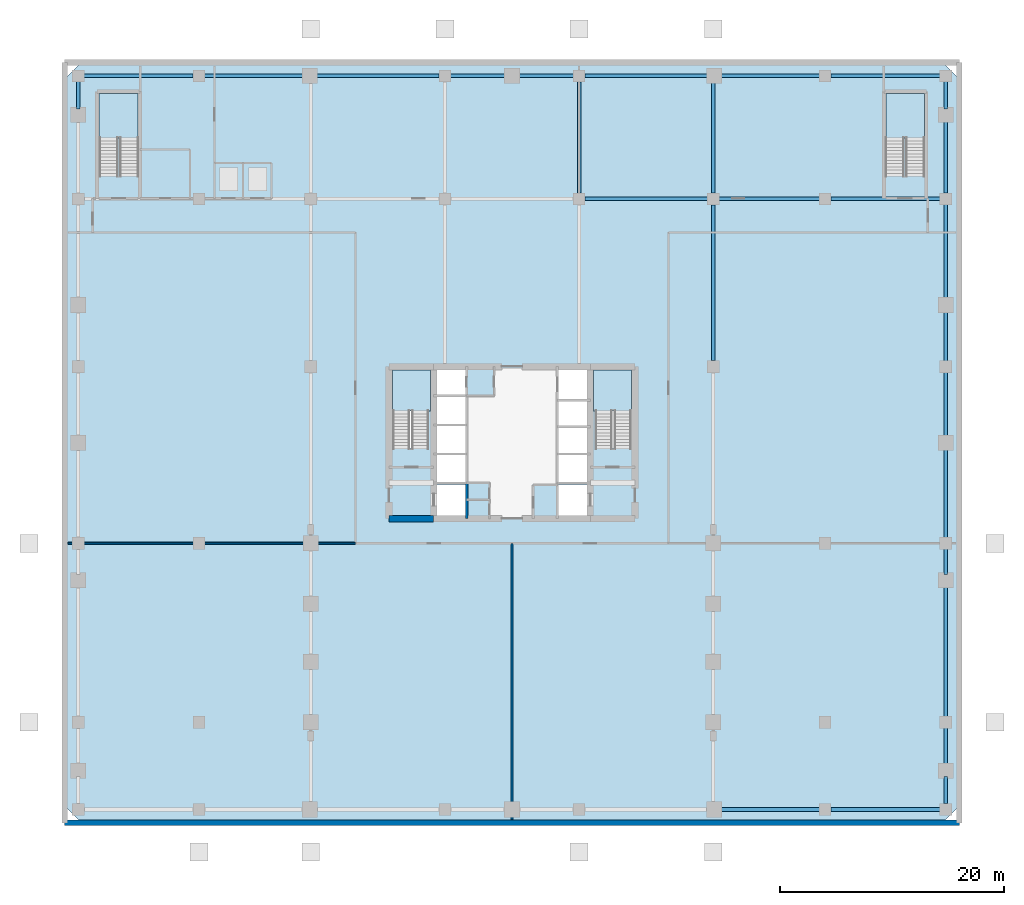
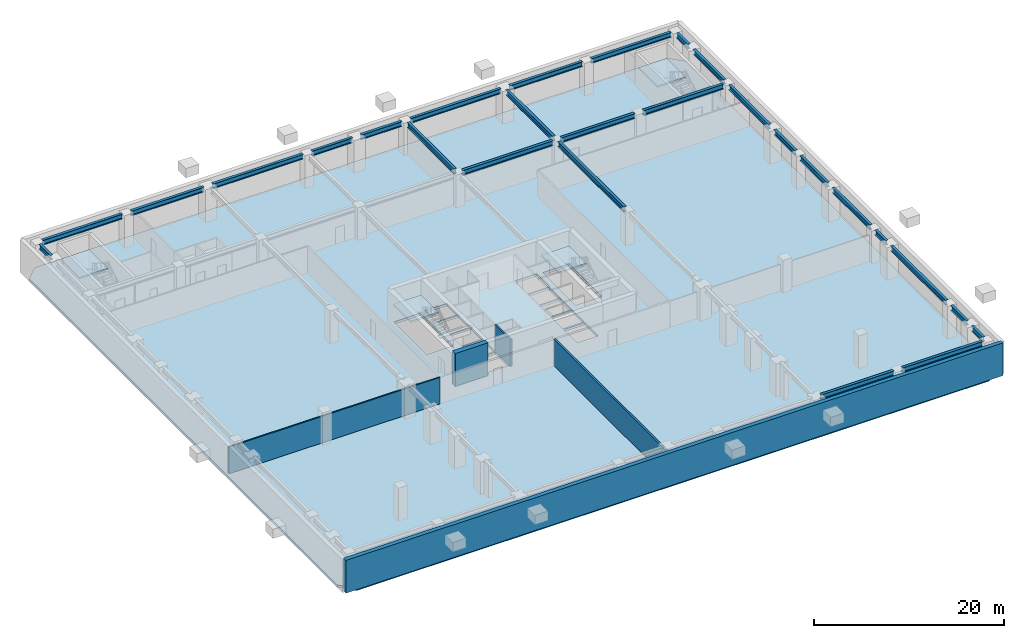
# One storey, part 2 of 11: 27 beams, 5 slabs, 5 walls, 4 elements without a shape of their own.
"""IFC4 building model written with IfcOpenShell, lengths in metres."""

from ifc_helpers import new_model, si_unit, direction, frame, frame_2d, origin, origin_2d, place, context, subcontext, project, spatial, polyline, rectangle, i_section, outline, extrude, material, layer, layer_set, material_profile, profile_set, type_object, element, aggregate, save


model = new_model("IFC4")

# Units and contexts
model_context = context("Model", 3, precision=1e-05, world=origin(), true_north=direction((0.0, 1.0)))
body_context = subcontext(model_context, "Body", "Model", "MODEL_VIEW")
ifc_project = project(units=[si_unit("LENGTHUNIT", "METRE"), si_unit("AREAUNIT", "SQUARE_METRE"), si_unit("VOLUMEUNIT", "CUBIC_METRE"), si_unit("PLANEANGLEUNIT", "RADIAN"), si_unit("MASSUNIT", "GRAM", prefix="KILO")], contexts=[model_context])

# Site, building, storey
site_placement = place(None, origin())
site = spatial("IfcSite", under=ifc_project, at=site_placement, CompositionType="ELEMENT")
building_placement = place(site_placement, origin())
building = spatial("IfcBuilding", under=site, at=building_placement, Name="Sarneth Arch Tower", CompositionType="ELEMENT")
storey_placement = place(building_placement, frame((0.0, 0.0, -4.5)))
storey = spatial("IfcBuildingStorey", under=building, at=storey_placement, Name="B01", CompositionType="ELEMENT", Elevation=-4.5)

# Beams
ifc_material_1 = material(Name="Steel S355", Category="steel")
ifc_material_profile = material_profile(ifc_material_1, i_section(OverallWidth=0.3291015625, OverallDepth=0.635009765625, WebThickness=0.017822265625, FlangeThickness=0.031005859375, FilletRadius=0.01904296875, at=origin_2d()), Name="W610x241")
ifc_profile_set = profile_set([ifc_material_profile], Name="Steel S355")
beam_type = type_object("IfcBeamType", Name="BM-POD-610", PredefinedType="BEAM", material=ifc_profile_set)
beam_1_placement = place(storey_placement, frame((9.719970703125, 74.800048828125, 3.902587890625), z_axis=(1.0, 0.0, 0.0), x_axis=(0.0, 1.0, 0.0)))
element("IfcBeam", 1, at=beam_1_placement, inside=storey, type_object=beam_type, Name="B01 Podium PN girder 1", PredefinedType="BEAM", context=body_context, shape_type="SweptSolid", body=[
    extrude(i_section(OverallWidth=0.3291015625, OverallDepth=0.635009765625, WebThickness=0.017822265625, FlangeThickness=0.031005859375, FilletRadius=0.01904296875, at=origin_2d()), origin(), (0.0, 0.0, 1.0), 9.760009765625),
])
beam_2_placement = place(storey_placement, frame((20.52001953125, 74.800048828125, 3.902587890625), z_axis=(1.0, 0.0, 0.0), x_axis=(0.0, 1.0, 0.0)))
element("IfcBeam", 2, at=beam_2_placement, inside=storey, type_object=beam_type, Name="B01 Podium PN girder 2", PredefinedType="BEAM", context=body_context, shape_type="SweptSolid", body=[
    extrude(i_section(OverallWidth=0.3291015625, OverallDepth=0.635009765625, WebThickness=0.017822265625, FlangeThickness=0.031005859375, FilletRadius=0.01904296875, at=origin_2d()), origin(), (0.0, 0.0, 1.0), 8.87548828125),
])
beam_3_placement = place(storey_placement, frame((30.435546875, 74.800048828125, 3.902587890625), z_axis=(1.0, 0.0, 0.0), x_axis=(0.0, 1.0, 0.0)))
element("IfcBeam", 3, at=beam_3_placement, inside=storey, type_object=beam_type, Name="B01 Podium PN girder 3", PredefinedType="BEAM", context=body_context, shape_type="SweptSolid", body=[
    extrude(i_section(OverallWidth=0.3291015625, OverallDepth=0.635009765625, WebThickness=0.017822265625, FlangeThickness=0.031005859375, FilletRadius=0.01904296875, at=origin_2d()), origin(), (0.0, 0.0, 1.0), 11.04443359375),
])
for number, where, z_axis, x_axis, name in (
    (4, (42.52001953125, 74.800048828125, 3.902587890625), (1.0, 0.0, 0.0), (0.0, 1.0, 0.0), "B01 Podium PN girder 4"),
    (5, (48.52001953125, 74.800048828125, 3.902587890625), (1.0, 0.0, 0.0), (0.0, 1.0, 0.0), "B01 Podium PN girder 5"),
):
    element("IfcBeam", number, at=place(storey_placement, frame(where, z_axis=z_axis, x_axis=x_axis)), inside=storey, type_object=beam_type, Name=name, PredefinedType="BEAM", context=body_context, shape_type="SweptSolid", body=[
        extrude(i_section(OverallWidth=0.3291015625, OverallDepth=0.635009765625, WebThickness=0.017822265625, FlangeThickness=0.031005859375, FilletRadius=0.01904296875, at=origin_2d()), origin(), (0.0, 0.0, 1.0), 4.9599609375),
    ])
beam_4_placement = place(storey_placement, frame((54.52001953125, 74.800048828125, 3.902587890625), z_axis=(1.0, 0.0, 0.0), x_axis=(0.0, 1.0, 0.0)))
element("IfcBeam", 6, at=beam_4_placement, inside=storey, type_object=beam_type, Name="B01 Podium PN girder 6", PredefinedType="BEAM", context=body_context, shape_type="SweptSolid", body=[
    extrude(i_section(OverallWidth=0.3291015625, OverallDepth=0.635009765625, WebThickness=0.017822265625, FlangeThickness=0.031005859375, FilletRadius=0.01904296875, at=origin_2d()), origin(), (0.0, 0.0, 1.0), 11.04443359375),
])
beam_5_placement = place(storey_placement, frame((66.6044921875, 74.800048828125, 3.902587890625), z_axis=(1.0, 0.0, 0.0), x_axis=(0.0, 1.0, 0.0)))
element("IfcBeam", 7, at=beam_5_placement, inside=storey, type_object=beam_type, Name="B01 Podium PN girder 7", PredefinedType="BEAM", context=body_context, shape_type="SweptSolid", body=[
    extrude(i_section(OverallWidth=0.3291015625, OverallDepth=0.635009765625, WebThickness=0.017822265625, FlangeThickness=0.031005859375, FilletRadius=0.01904296875, at=origin_2d()), origin(), (0.0, 0.0, 1.0), 8.87548828125),
])
beam_6_placement = place(storey_placement, frame((76.52001953125, 74.800048828125, 3.902587890625), z_axis=(1.0, 0.0, 0.0), x_axis=(0.0, 1.0, 0.0)))
element("IfcBeam", 8, at=beam_6_placement, inside=storey, type_object=beam_type, Name="B01 Podium PN girder 8", PredefinedType="BEAM", context=body_context, shape_type="SweptSolid", body=[
    extrude(i_section(OverallWidth=0.3291015625, OverallDepth=0.635009765625, WebThickness=0.017822265625, FlangeThickness=0.031005859375, FilletRadius=0.01904296875, at=origin_2d()), origin(), (0.0, 0.0, 1.0), 9.760009765625),
])
beam_7_placement = place(storey_placement, frame((66.6044921875, 9.199951171875, 3.902587890625), z_axis=(1.0, 0.0, 0.0), x_axis=(0.0, 1.0, 0.0)))
element("IfcBeam", 9, at=beam_7_placement, inside=storey, type_object=beam_type, Name="B01 Podium PS girder 7", PredefinedType="BEAM", context=body_context, shape_type="SweptSolid", body=[
    extrude(i_section(OverallWidth=0.3291015625, OverallDepth=0.635009765625, WebThickness=0.017822265625, FlangeThickness=0.031005859375, FilletRadius=0.01904296875, at=origin_2d()), origin(), (0.0, 0.0, 1.0), 8.87548828125),
])
beam_8_placement = place(storey_placement, frame((76.52001953125, 9.199951171875, 3.902587890625), z_axis=(1.0, 0.0, 0.0), x_axis=(0.0, 1.0, 0.0)))
element("IfcBeam", 10, at=beam_8_placement, inside=storey, type_object=beam_type, Name="B01 Podium PS girder 8", PredefinedType="BEAM", context=body_context, shape_type="SweptSolid", body=[
    extrude(i_section(OverallWidth=0.3291015625, OverallDepth=0.635009765625, WebThickness=0.017822265625, FlangeThickness=0.031005859375, FilletRadius=0.01904296875, at=origin_2d()), origin(), (0.0, 0.0, 1.0), 9.760009765625),
])
beam_9_placement = place(storey_placement, frame((54.52001953125, 63.800048828125, 3.902587890625), z_axis=(1.0, 0.0, 0.0), x_axis=(0.0, 1.0, 0.0)))
element("IfcBeam", 11, at=beam_9_placement, inside=storey, type_object=beam_type, Name="B01 Podium PC girder 5", PredefinedType="BEAM", context=body_context, shape_type="SweptSolid", body=[
    extrude(i_section(OverallWidth=0.3291015625, OverallDepth=0.635009765625, WebThickness=0.017822265625, FlangeThickness=0.031005859375, FilletRadius=0.01904296875, at=origin_2d()), origin(), (0.0, 0.0, 1.0), 10.9599609375),
])
beam_10_placement = place(storey_placement, frame((66.52001953125, 63.800048828125, 3.902587890625), z_axis=(1.0, 0.0, 0.0), x_axis=(0.0, 1.0, 0.0)))
element("IfcBeam", 12, at=beam_10_placement, inside=storey, type_object=beam_type, Name="B01 Podium PC girder 6", PredefinedType="BEAM", context=body_context, shape_type="SweptSolid", body=[
    extrude(i_section(OverallWidth=0.3291015625, OverallDepth=0.635009765625, WebThickness=0.017822265625, FlangeThickness=0.031005859375, FilletRadius=0.01904296875, at=origin_2d()), origin(), (0.0, 0.0, 1.0), 8.9599609375),
])
beam_11_placement = place(storey_placement, frame((76.52001953125, 63.800048828125, 3.902587890625), z_axis=(1.0, 0.0, 0.0), x_axis=(0.0, 1.0, 0.0)))
element("IfcBeam", 13, at=beam_11_placement, inside=storey, type_object=beam_type, Name="B01 Podium PC girder 7", PredefinedType="BEAM", context=body_context, shape_type="SweptSolid", body=[
    extrude(i_section(OverallWidth=0.3291015625, OverallDepth=0.635009765625, WebThickness=0.017822265625, FlangeThickness=0.031005859375, FilletRadius=0.01904296875, at=origin_2d()), origin(), (0.0, 0.0, 1.0), 9.760009765625),
])
for number, where, z_axis, x_axis, name in (
    (14, (9.199951171875, 71.856689453125, 3.902587890625), (0.0, 1.0, 0.0), (-1.0, 0.0, 0.0), "B01 Podium PW girder 10"),
    (15, (86.800048828125, 9.719970703125, 3.902587890625), (0.0, 1.0, 0.0), (-1.0, 0.0, 0.0), "B01 Podium PE girder 1"),
):
    element("IfcBeam", number, at=place(storey_placement, frame(where, z_axis=z_axis, x_axis=x_axis)), inside=storey, type_object=beam_type, Name=name, PredefinedType="BEAM", context=body_context, shape_type="SweptSolid", body=[
        extrude(i_section(OverallWidth=0.3291015625, OverallDepth=0.635009765625, WebThickness=0.017822265625, FlangeThickness=0.031005859375, FilletRadius=0.01904296875, at=origin_2d()), origin(), (0.0, 0.0, 1.0), 2.42333984375),
    ])
beam_12_placement = place(storey_placement, frame((86.800048828125, 13.183349609375, 3.902587890625), z_axis=(0.0, 1.0, 0.0), x_axis=(-1.0, 0.0, 0.0)))
element("IfcBeam", 16, at=beam_12_placement, inside=storey, type_object=beam_type, Name="B01 Podium PE girder 2", PredefinedType="BEAM", context=body_context, shape_type="SweptSolid", body=[
    extrude(i_section(OverallWidth=0.3291015625, OverallDepth=0.635009765625, WebThickness=0.017822265625, FlangeThickness=0.031005859375, FilletRadius=0.01904296875, at=origin_2d()), origin(), (0.0, 0.0, 1.0), 3.296630859375),
])
beam_13_placement = place(storey_placement, frame((86.800048828125, 17.52001953125, 3.902587890625), z_axis=(0.0, 1.0, 0.0), x_axis=(-1.0, 0.0, 0.0)))
element("IfcBeam", 17, at=beam_13_placement, inside=storey, type_object=beam_type, Name="B01 Podium PE girder 3", PredefinedType="BEAM", context=body_context, shape_type="SweptSolid", body=[
    extrude(i_section(OverallWidth=0.3291015625, OverallDepth=0.635009765625, WebThickness=0.017822265625, FlangeThickness=0.031005859375, FilletRadius=0.01904296875, at=origin_2d()), origin(), (0.0, 0.0, 1.0), 11.64208984375),
])
beam_14_placement = place(storey_placement, frame((86.800048828125, 30.2021484375, 3.902587890625), z_axis=(0.0, 1.0, 0.0), x_axis=(-1.0, 0.0, 0.0)))
element("IfcBeam", 18, at=beam_14_placement, inside=storey, type_object=beam_type, Name="B01 Podium PE girder 4", PredefinedType="BEAM", context=body_context, shape_type="SweptSolid", body=[
    extrude(i_section(OverallWidth=0.3291015625, OverallDepth=0.635009765625, WebThickness=0.017822265625, FlangeThickness=0.031005859375, FilletRadius=0.01904296875, at=origin_2d()), origin(), (0.0, 0.0, 1.0), 2.27783203125),
])
beam_15_placement = place(storey_placement, frame((86.800048828125, 33.52001953125, 3.902587890625), z_axis=(0.0, 1.0, 0.0), x_axis=(-1.0, 0.0, 0.0)))
element("IfcBeam", 19, at=beam_15_placement, inside=storey, type_object=beam_type, Name="B01 Podium PE girder 5", PredefinedType="BEAM", context=body_context, shape_type="SweptSolid", body=[
    extrude(i_section(OverallWidth=0.3291015625, OverallDepth=0.635009765625, WebThickness=0.017822265625, FlangeThickness=0.031005859375, FilletRadius=0.01904296875, at=origin_2d()), origin(), (0.0, 0.0, 1.0), 7.9599609375),
])
beam_16_placement = place(storey_placement, frame((86.800048828125, 42.52001953125, 3.902587890625), z_axis=(0.0, 1.0, 0.0), x_axis=(-1.0, 0.0, 0.0)))
element("IfcBeam", 20, at=beam_16_placement, inside=storey, type_object=beam_type, Name="B01 Podium PE girder 6", PredefinedType="BEAM", context=body_context, shape_type="SweptSolid", body=[
    extrude(i_section(OverallWidth=0.3291015625, OverallDepth=0.635009765625, WebThickness=0.017822265625, FlangeThickness=0.031005859375, FilletRadius=0.01904296875, at=origin_2d()), origin(), (0.0, 0.0, 1.0), 5.760009765625),
])
beam_17_placement = place(storey_placement, frame((86.800048828125, 49.320068359375, 3.902587890625), z_axis=(0.0, 1.0, 0.0), x_axis=(-1.0, 0.0, 0.0)))
element("IfcBeam", 21, at=beam_17_placement, inside=storey, type_object=beam_type, Name="B01 Podium PE girder 7", PredefinedType="BEAM", context=body_context, shape_type="SweptSolid", body=[
    extrude(i_section(OverallWidth=0.3291015625, OverallDepth=0.635009765625, WebThickness=0.017822265625, FlangeThickness=0.031005859375, FilletRadius=0.01904296875, at=origin_2d()), origin(), (0.0, 0.0, 1.0), 4.477783203125),
])
beam_18_placement = place(storey_placement, frame((86.800048828125, 54.837890625, 3.902587890625), z_axis=(0.0, 1.0, 0.0), x_axis=(-1.0, 0.0, 0.0)))
element("IfcBeam", 22, at=beam_18_placement, inside=storey, type_object=beam_type, Name="B01 Podium PE girder 8", PredefinedType="BEAM", context=body_context, shape_type="SweptSolid", body=[
    extrude(i_section(OverallWidth=0.3291015625, OverallDepth=0.635009765625, WebThickness=0.017822265625, FlangeThickness=0.031005859375, FilletRadius=0.01904296875, at=origin_2d()), origin(), (0.0, 0.0, 1.0), 8.442138671875),
])
beam_19_placement = place(storey_placement, frame((86.800048828125, 64.320068359375, 3.902587890625), z_axis=(0.0, 1.0, 0.0), x_axis=(-1.0, 0.0, 0.0)))
element("IfcBeam", 23, at=beam_19_placement, inside=storey, type_object=beam_type, Name="B01 Podium PE girder 9", PredefinedType="BEAM", context=body_context, shape_type="SweptSolid", body=[
    extrude(i_section(OverallWidth=0.3291015625, OverallDepth=0.635009765625, WebThickness=0.017822265625, FlangeThickness=0.031005859375, FilletRadius=0.01904296875, at=origin_2d()), origin(), (0.0, 0.0, 1.0), 6.49658203125),
])
beam_20_placement = place(storey_placement, frame((86.800048828125, 71.856689453125, 3.902587890625), z_axis=(0.0, 1.0, 0.0), x_axis=(-1.0, 0.0, 0.0)))
element("IfcBeam", 24, at=beam_20_placement, inside=storey, type_object=beam_type, Name="B01 Podium PE girder 10", PredefinedType="BEAM", context=body_context, shape_type="SweptSolid", body=[
    extrude(i_section(OverallWidth=0.3291015625, OverallDepth=0.635009765625, WebThickness=0.017822265625, FlangeThickness=0.031005859375, FilletRadius=0.01904296875, at=origin_2d()), origin(), (0.0, 0.0, 1.0), 2.42333984375),
])
beam_21_placement = place(storey_placement, frame((66.0, 49.35009765625, 3.902587890625), z_axis=(0.0, 1.0, 0.0), x_axis=(-1.0, 0.0, 0.0)))
element("IfcBeam", 25, at=beam_21_placement, inside=storey, type_object=beam_type, Name="B01 Podium N-S girder E66.4", PredefinedType="BEAM", context=body_context, shape_type="SweptSolid", body=[
    extrude(i_section(OverallWidth=0.3291015625, OverallDepth=0.635009765625, WebThickness=0.017822265625, FlangeThickness=0.031005859375, FilletRadius=0.01904296875, at=origin_2d()), origin(), (0.0, 0.0, 1.0), 13.89990234375),
])
for number, where, z_axis, x_axis, name in (
    (26, (66.0, 64.35009765625, 3.902587890625), (0.0, 1.0, 0.0), (-1.0, 0.0, 0.0), "B01 Podium N-S girder E66.5"),
    (27, (54.0, 64.35009765625, 3.902587890625), (0.0, 1.0, 0.0), (-1.0, 0.0, 0.0), "B01 North bay girder C54.2"),
):
    element("IfcBeam", number, at=place(storey_placement, frame(where, z_axis=z_axis, x_axis=x_axis)), inside=storey, type_object=beam_type, Name=name, PredefinedType="BEAM", context=body_context, shape_type="SweptSolid", body=[
        extrude(i_section(OverallWidth=0.3291015625, OverallDepth=0.635009765625, WebThickness=0.017822265625, FlangeThickness=0.031005859375, FilletRadius=0.01904296875, at=origin_2d()), origin(), (0.0, 0.0, 1.0), 9.89990234375),
    ])

# Slab
ifc_material_2 = material(Name="Concrete C50/60", Category="concrete")
ifc_layer_1 = layer(ifc_material_2, 0.320068359375)
ifc_layer_set_1 = layer_set([ifc_layer_1], Name="Concrete C50/60")
slab_type_1 = type_object("IfcSlabType", Name="SLAB-B01-320", PredefinedType="FLOOR", material=ifc_layer_set_1)
slab_1_placement = place(storey_placement, frame((0.0, 0.0, -0.320068359375)))
element("IfcSlab", 28, at=slab_1_placement, inside=storey, type_object=slab_type_1, Name="B01 Suspended basement slab", PredefinedType="FLOOR", context=body_context, shape_type="SweptSolid", body=[
    extrude(outline(polyline([(9.5, 8.0), (86.5, 8.0), (88.0, 9.5), (88.0, 74.5), (86.5, 76.0), (9.5, 76.0), (8.0, 74.5), (8.0, 9.5), (9.5, 8.0)]), holes=[polyline([(37.35009765625, 41.489990234375), (40.550048828125, 41.489990234375), (40.550048828125, 48.39990234375), (37.35009765625, 48.39990234375), (37.35009765625, 41.489990234375)]), polyline([(55.449951171875, 41.489990234375), (58.64990234375, 41.489990234375), (58.64990234375, 48.39990234375), (55.449951171875, 48.39990234375), (55.449951171875, 41.489990234375)]), polyline([(41.199951171875, 46.25), (43.85009765625, 46.25), (43.85009765625, 48.550048828125), (41.199951171875, 48.550048828125), (41.199951171875, 46.25)]), polyline([(41.300048828125, 35.449951171875), (43.85009765625, 35.449951171875), (43.85009765625, 38.25), (41.300048828125, 38.25), (41.300048828125, 35.449951171875)]), polyline([(52.14990234375, 35.449951171875), (54.699951171875, 35.449951171875), (54.699951171875, 38.25), (52.14990234375, 38.25), (52.14990234375, 35.449951171875)]), polyline([(52.14990234375, 45.85009765625), (54.800048828125, 45.85009765625), (54.800048828125, 48.550048828125), (52.14990234375, 48.550048828125), (52.14990234375, 45.85009765625)]), polyline([(41.300048828125, 38.449951171875), (43.85009765625, 38.449951171875), (43.85009765625, 40.89990234375), (41.300048828125, 40.89990234375), (41.300048828125, 38.449951171875)]), polyline([(41.300048828125, 41.050048828125), (43.85009765625, 41.050048828125), (43.85009765625, 43.5), (41.300048828125, 43.5), (41.300048828125, 41.050048828125)]), polyline([(41.300048828125, 43.64990234375), (43.85009765625, 43.64990234375), (43.85009765625, 46.10009765625), (41.300048828125, 46.10009765625), (41.300048828125, 43.64990234375)]), polyline([(52.14990234375, 38.449951171875), (54.699951171875, 38.449951171875), (54.699951171875, 40.89990234375), (52.14990234375, 40.89990234375), (52.14990234375, 38.449951171875)]), polyline([(52.14990234375, 41.050048828125), (54.699951171875, 41.050048828125), (54.699951171875, 43.35009765625), (52.14990234375, 43.35009765625), (52.14990234375, 41.050048828125)]), polyline([(52.14990234375, 43.5), (54.699951171875, 43.5), (54.699951171875, 45.75), (52.14990234375, 45.75), (52.14990234375, 43.5)])]), origin(), (0.0, 0.0, 1.0), 0.320068359375),
])

# Stair, slab
ifc_material_3 = material(Name="Concrete C50/60", Category="concrete")
stair_type_1 = type_object("IfcStairType", Name="STAIR-CORE-RC", PredefinedType="HALF_TURN_STAIR", material=ifc_material_3)
stair_1_placement = place(storey_placement, origin())
stair_1 = element("IfcStair", 29, at=stair_1_placement, inside=storey, type_object=stair_type_1, Name="B01 Core Exit Stair 1", PredefinedType="HALF_TURN_STAIR")
ifc_material_4 = material(Name="Concrete C50/60", Category="concrete")
ifc_layer_2 = layer(ifc_material_4, 0.199951171875)
ifc_layer_set_2 = layer_set([ifc_layer_2], Name="Concrete C50/60")
slab_type_2 = type_object("IfcSlabType", Name="SLAB-LANDING-200", PredefinedType="LANDING", material=ifc_layer_set_2)
slab_2_placement = place(storey_placement, frame((0.0, 0.0, 2.050048828125)))
slab_2 = element("IfcSlab", 30, at=slab_2_placement, type_object=slab_type_2, Name="ST-1 landing 1", PredefinedType="LANDING", context=body_context, shape_type="SweptSolid", body=[
    extrude(outline(polyline([(37.300048828125, 44.840087890625), (40.699951171875, 44.840087890625), (40.699951171875, 48.5), (37.300048828125, 48.5), (37.300048828125, 44.840087890625)])), origin(), (0.0, 0.0, 1.0), 0.199951171875),
])
aggregate(stair_1, [slab_2])

stair_2_placement = place(storey_placement, origin())
stair_2 = element("IfcStair", 31, at=stair_2_placement, inside=storey, type_object=stair_type_1, Name="B01 Core Exit Stair 2", PredefinedType="HALF_TURN_STAIR")
slab_3_placement = place(storey_placement, frame((0.0, 0.0, 2.050048828125)))
slab_3 = element("IfcSlab", 32, at=slab_3_placement, type_object=slab_type_2, Name="ST-2 landing 1", PredefinedType="LANDING", context=body_context, shape_type="SweptSolid", body=[
    extrude(outline(polyline([(55.300048828125, 44.840087890625), (58.699951171875, 44.840087890625), (58.699951171875, 48.5), (55.300048828125, 48.5), (55.300048828125, 44.840087890625)])), origin(), (0.0, 0.0, 1.0), 0.199951171875),
])
aggregate(stair_2, [slab_3])

ifc_material_5 = material(Name="Concrete C50/60", Category="concrete")
stair_type_2 = type_object("IfcStairType", Name="STAIR-PODIUM-RC", PredefinedType="HALF_TURN_STAIR", material=ifc_material_5)
stair_3_placement = place(storey_placement, origin())
stair_3 = element("IfcStair", 33, at=stair_3_placement, inside=storey, type_object=stair_type_2, Name="B01 Podium Exit Stair P1", PredefinedType="HALF_TURN_STAIR")
slab_4_placement = place(storey_placement, frame((0.0, 0.0, 2.050048828125)))
slab_4 = element("IfcSlab", 34, at=slab_4_placement, type_object=slab_type_2, Name="ST-P1 landing 1", PredefinedType="LANDING", context=body_context, shape_type="SweptSolid", body=[
    extrude(outline(polyline([(11.074951171875, 69.25), (14.574951171875, 69.25), (14.574951171875, 73.22509765625), (11.074951171875, 73.22509765625), (11.074951171875, 69.25)])), origin(), (0.0, 0.0, 1.0), 0.199951171875),
])
aggregate(stair_3, [slab_4])

stair_4_placement = place(storey_placement, origin())
stair_4 = element("IfcStair", 35, at=stair_4_placement, inside=storey, type_object=stair_type_2, Name="B01 Podium Exit Stair P2", PredefinedType="HALF_TURN_STAIR")
slab_5_placement = place(storey_placement, frame((0.0, 0.0, 2.050048828125)))
slab_5 = element("IfcSlab", 36, at=slab_5_placement, type_object=slab_type_2, Name="ST-P2 landing 1", PredefinedType="LANDING", context=body_context, shape_type="SweptSolid", body=[
    extrude(outline(polyline([(81.425048828125, 69.25), (84.875, 69.25), (84.875, 73.22509765625), (81.425048828125, 73.22509765625), (81.425048828125, 69.25)])), origin(), (0.0, 0.0, 1.0), 0.199951171875),
])
aggregate(stair_4, [slab_5])

# Walls
ifc_material_6 = material(Name="Concrete C60/75", Category="concrete")
ifc_layer_3 = layer(ifc_material_6, 0.60009765625)
ifc_layer_set_3 = layer_set([ifc_layer_3], Name="Concrete C60/75")
wall_type_1 = type_object("IfcWallType", Name="WALL-CORE-600", PredefinedType="SHEAR", material=ifc_layer_set_3)
wall_1_placement = place(storey_placement, frame((37.0, 35.199951171875, 0.0), z_axis=(0.0, 0.0, 1.0), x_axis=(1.0, 0.0, 0.0)))
element("IfcWall", 37, at=wall_1_placement, inside=storey, type_object=wall_type_1, Name="B01 Core shear wall S-W", PredefinedType="SHEAR", context=body_context, shape_type="SweptSolid", body=[
    extrude(rectangle(XDim=4.0, YDim=0.60009765625, at=frame_2d((2.0, 0.0))), origin(), (0.0, 0.0, 1.0), 4.219970703125),
])
ifc_material_7 = material(Name="Aerated concrete blockwork C25/30", Category="masonry")
ifc_layer_4 = layer(ifc_material_7, 0.219970703125)
ifc_layer_set_4 = layer_set([ifc_layer_4], Name="Aerated concrete blockwork C25/30")
wall_type_2 = type_object("IfcWallType", Name="WALL-FIRE-220", PredefinedType="SOLIDWALL", material=ifc_layer_set_4)
wall_2_placement = place(storey_placement, frame((48.0, 33.0, 0.0), z_axis=(0.0, 0.0, 1.0), x_axis=(0.0, -1.0, 0.0)))
element("IfcWall", 38, at=wall_2_placement, inside=storey, type_object=wall_type_2, Name="B01 Interior partition W-B01-TP-018", PredefinedType="SOLIDWALL", context=body_context, shape_type="SweptSolid", body=[
    extrude(rectangle(XDim=24.699951171875, YDim=0.219970703125, at=frame_2d((12.35009765625, 0.0))), origin(), (0.0, 0.0, 1.0), 3.419921875),
])
ifc_material_8 = material(Name="Kitchen wet service chase wall", Category="gypsum")
ifc_layer_5 = layer(ifc_material_8, 0.159912109375)
ifc_layer_set_5 = layer_set([ifc_layer_5], Name="Kitchen wet service chase wall")
wall_type_3 = type_object("IfcWallType", Name="WALL-PLUMB-160", PredefinedType="PLUMBINGWALL", material=ifc_layer_set_5)
wall_3_placement = place(storey_placement, frame((34.0, 33.0, 0.0), z_axis=(0.0, 0.0, 1.0), x_axis=(-1.0, 0.0, 0.0)))
element("IfcWall", 39, at=wall_3_placement, inside=storey, type_object=wall_type_3, Name="B01 Interior partition W-B01-TP-014", PredefinedType="PLUMBINGWALL", context=body_context, shape_type="SweptSolid", body=[
    extrude(rectangle(XDim=25.699951171875, YDim=0.159912109375, at=frame_2d((12.85009765625, 0.0))), origin(), (0.0, 0.0, 1.0), 3.419921875),
])
ifc_material_9 = material(Name="Concrete C50/60", Category="concrete")
ifc_layer_6 = layer(ifc_material_9, 0.5)
ifc_layer_set_6 = layer_set([ifc_layer_6], Name="Concrete C50/60")
wall_type_4 = type_object("IfcWallType", Name="WALL-RET-500", PredefinedType="SOLIDWALL", material=ifc_layer_set_6)
wall_4_placement = place(storey_placement, frame((8.0, 8.0, 0.0), z_axis=(0.0, 0.0, 1.0), x_axis=(1.0, 0.0, 0.0)))
element("IfcWall", 40, at=wall_4_placement, inside=storey, type_object=wall_type_4, Name="B01 Basement retaining wall S", PredefinedType="SOLIDWALL", context=body_context, shape_type="SweptSolid", body=[
    extrude(rectangle(XDim=80.0, YDim=0.5, at=frame_2d((40.0, 0.0))), origin(), (0.0, 0.0, 1.0), 4.219970703125),
])
ifc_material_10 = material(Name="Aerated concrete blockwork C25/30", Category="masonry")
ifc_layer_7 = layer(ifc_material_10, 0.199951171875)
ifc_layer_set_7 = layer_set([ifc_layer_7], Name="Aerated concrete blockwork C25/30")
wall_type_5 = type_object("IfcWallType", Name="WALL-SHAFT-200", PredefinedType="SOLIDWALL", material=ifc_layer_set_7)
wall_5_placement = place(storey_placement, frame((43.949951171875, 35.199951171875, 0.0), z_axis=(0.0, 0.0, 1.0), x_axis=(0.0, 1.0, 0.0)))
element("IfcWall", 41, at=wall_5_placement, inside=storey, type_object=wall_type_5, Name="B01 Interior partition W-B01-FL1-E", PredefinedType="SOLIDWALL", context=body_context, shape_type="SweptSolid", body=[
    extrude(rectangle(XDim=3.199951171875, YDim=0.199951171875, at=frame_2d((1.60009765625, 0.0))), origin(), (0.0, 0.0, 1.0), 3.419921875),
])

save(model, "model.ifc")
